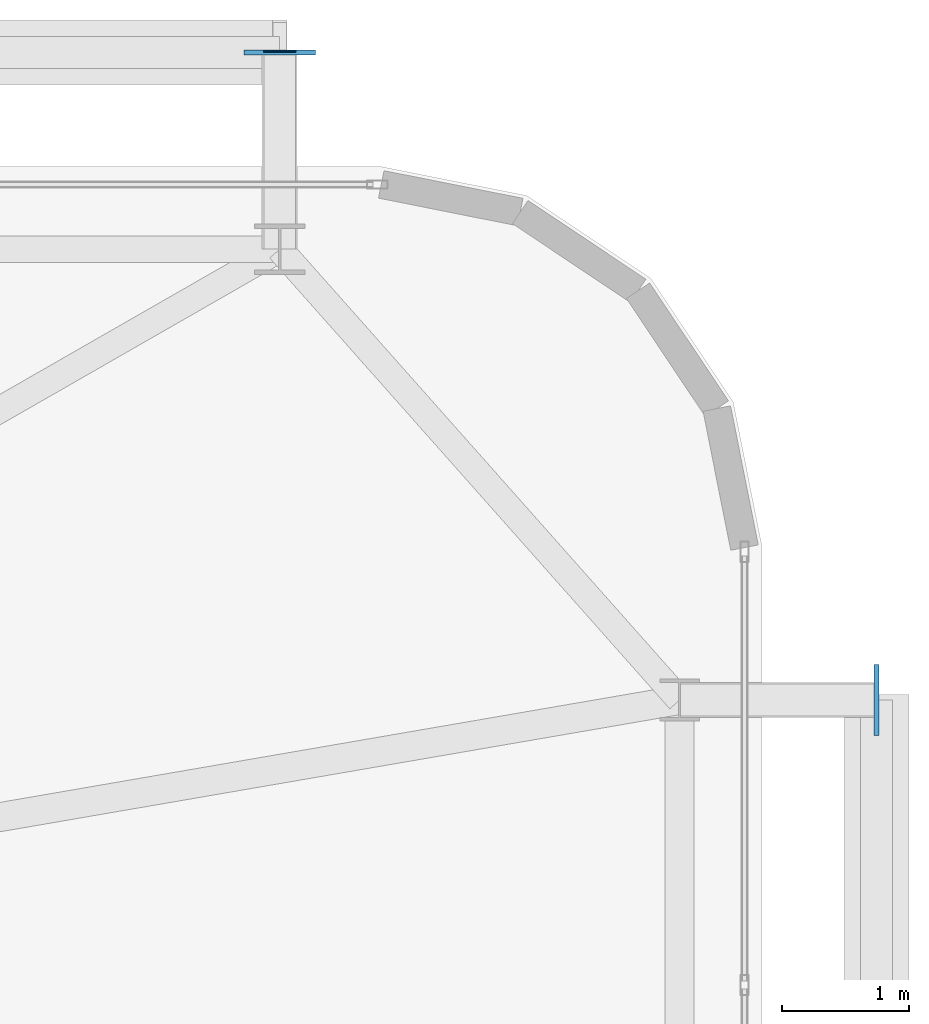
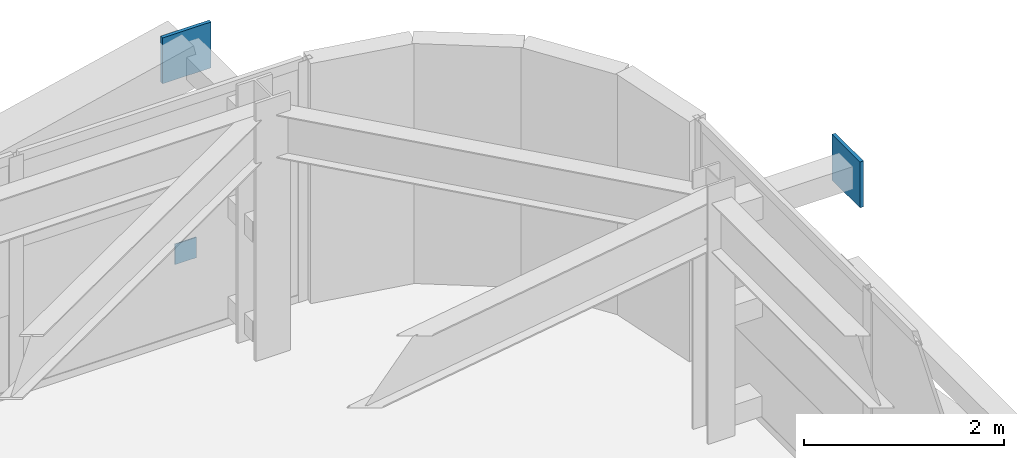
# One storey, part 51 of 58: 3 plates.
"""IFC4 building model written with IfcOpenShell, lengths in metres."""

from ifc_helpers import new_model, si_unit, direction, frame, origin, origin_2d, place, context, subcontext, project, spatial, rectangle, extrude, source, transform, mapped, material, layer, layer_set, type_object, element, save


model = new_model("IFC4")

# Units and contexts
model_context = context("Model", 3, precision=1e-05, world=origin(), true_north=direction((0.0, 1.0)))
body_context = subcontext(model_context, "Body", "Model", "MODEL_VIEW")
ifc_project = project(units=[si_unit("LENGTHUNIT", "METRE"), si_unit("AREAUNIT", "SQUARE_METRE"), si_unit("VOLUMEUNIT", "CUBIC_METRE"), si_unit("PLANEANGLEUNIT", "RADIAN"), si_unit("MASSUNIT", "GRAM", prefix="KILO")], contexts=[model_context])

# Site, building, storey
site_placement = place(None, origin())
site = spatial("IfcSite", under=ifc_project, at=site_placement, CompositionType="ELEMENT")
building_placement = place(site_placement, origin())
building = spatial("IfcBuilding", under=site, at=building_placement, Name="Taldren Reach Tower", CompositionType="ELEMENT")
storey_placement = place(building_placement, frame((0.0, 0.0, 35.699951171875)))
storey = spatial("IfcBuildingStorey", under=building, at=storey_placement, Name="L10", CompositionType="ELEMENT", Elevation=35.699951171875)

# Plates
ifc_material_1 = material(Name="Steel Gr 450 (C450L0)", Category="steel")
ifc_layer_1 = layer(ifc_material_1, 0.0400390625)
ifc_layer_set_1 = layer_set([ifc_layer_1], Name="Steel Gr 450 (C450L0)")
plate_type_1 = type_object("IfcPlateType", Name="PL-GUSSET-40", PredefinedType="SHEET", material=ifc_layer_set_1)
shared_shape_1 = source(origin(), body_context, "Body", "SweptSolid", [
    extrude(rectangle(XDim=0.56005859375, YDim=0.0400390625, at=origin_2d()), origin(), (0.0, 0.0, 1.0), 0.56005859375),
])
for number, where, z_axis, x_axis, name in (
    (1, (61.199951171875, 39.39990234375, 2.3701171875), (0.0, 0.0, 1.0), (1.0, 0.0, 0.0), "Exoskeleton star-node gusset plate B1-N6 L10"),
    (2, (65.89990234375, 34.300048828125, 2.3701171875), (0.0, 0.0, 1.0), (0.0, 1.0, 0.0), "Exoskeleton star-node gusset plate B1-E3 L10"),
):
    element("IfcPlate", number, at=place(storey_placement, frame(where, z_axis=z_axis, x_axis=x_axis)), inside=storey, type_object=plate_type_1, Name=name, PredefinedType="SHEET", context=body_context, shape_type="MappedRepresentation", body=[
        mapped(shared_shape_1, transform((0.0, 0.0, 0.0), scale=1.0)),
    ])
ifc_material_2 = material(Name="Steel Gr 350 (C350L0)", Category="steel")
ifc_layer_2 = layer(ifc_material_2, 0.011962890625)
ifc_layer_set_2 = layer_set([ifc_layer_2], Name="Steel Gr 350 (C350L0)")
plate_type_2 = type_object("IfcPlateType", Name="PL-CAP-250", PredefinedType="SHEET", material=ifc_layer_set_2)
shared_shape_2 = source(origin(), body_context, "Body", "SweptSolid", [
    extrude(rectangle(XDim=0.25, YDim=0.011962890625, at=origin_2d()), origin(), (0.0, 0.0, 1.0), 0.25),
])
plate_placement = place(storey_placement, frame((61.199951171875, 39.406005859375, 0.094970703125), z_axis=(0.0, 0.0, 1.0), x_axis=(1.0, 0.0, 0.0)))
element("IfcPlate", 3, at=plate_placement, inside=storey, type_object=plate_type_2, Name="Tie strut end cap plate B1-N6 L10", PredefinedType="SHEET", context=body_context, shape_type="MappedRepresentation", body=[
    mapped(shared_shape_2, transform((0.0, 0.0, 0.0), scale=1.0)),
])

save(model, "model.ifc")
